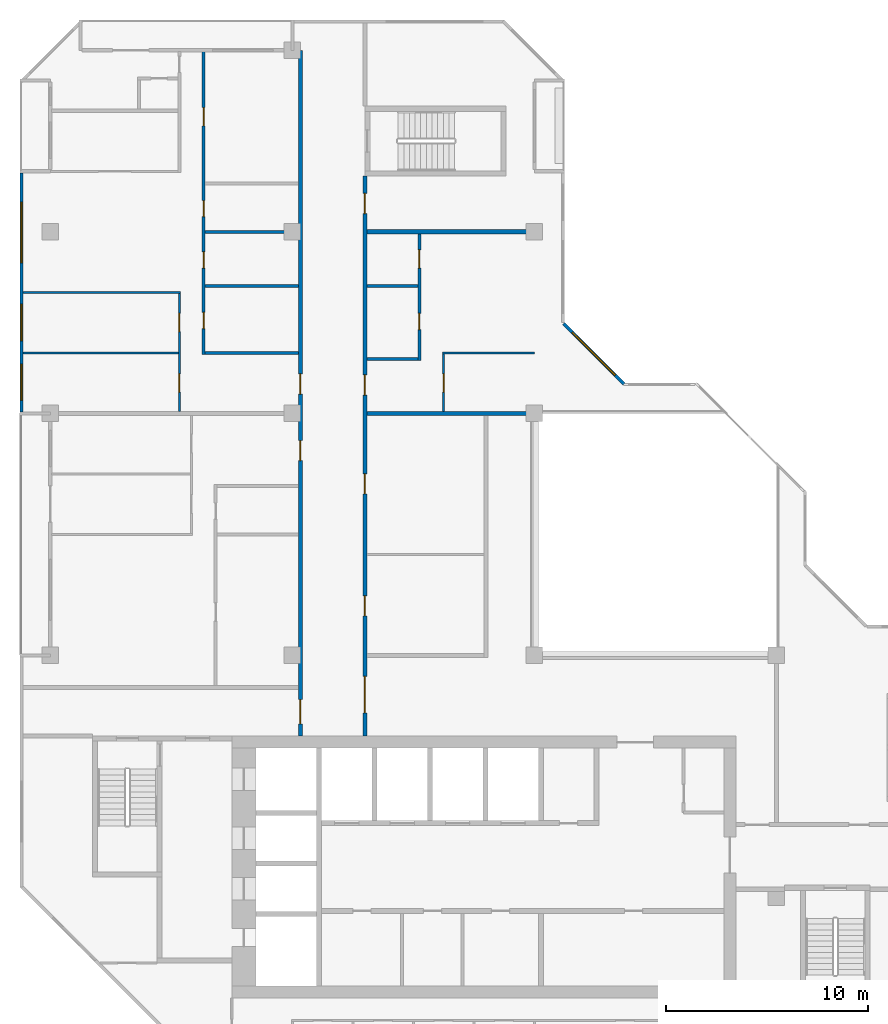
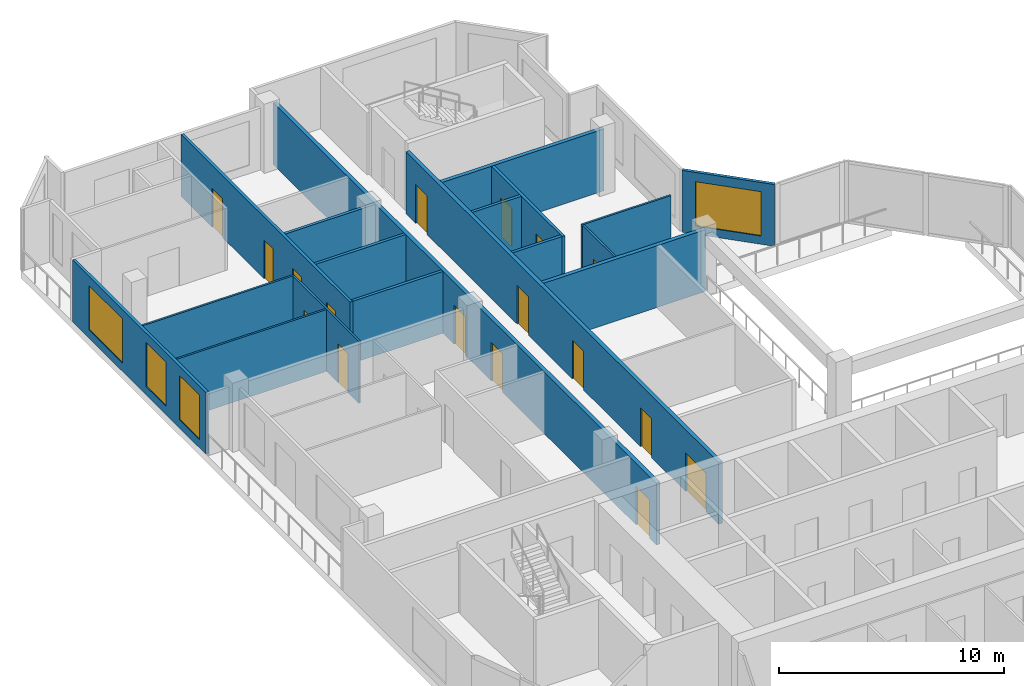
# One storey, part 9 of 13: 18 walls, 17 doors, 4 windows, 21 openings.
"""IFC4 building model written with IfcOpenShell, lengths in metres."""

from ifc_helpers import new_model, si_unit, direction, frame, frame_2d, origin, place, context, subcontext, project, spatial, rectangle, extrude, material, layer, layer_set, type_object, element, fill, save


model = new_model("IFC4")

# Units and contexts
model_context = context("Model", 3, precision=1e-05, world=origin(), true_north=direction((0.0, 1.0)))
body_context = subcontext(model_context, "Body", "Model", "MODEL_VIEW")
ifc_project = project(units=[si_unit("LENGTHUNIT", "METRE"), si_unit("AREAUNIT", "SQUARE_METRE"), si_unit("VOLUMEUNIT", "CUBIC_METRE"), si_unit("PLANEANGLEUNIT", "RADIAN"), si_unit("MASSUNIT", "GRAM", prefix="KILO")], contexts=[model_context])

# Site, building, storey
site_placement = place(None, origin())
site = spatial("IfcSite", under=ifc_project, at=site_placement, CompositionType="ELEMENT")
building_placement = place(site_placement, origin())
building = spatial("IfcBuilding", under=site, at=building_placement, Name="Chenar Terraces", CompositionType="ELEMENT")
storey_placement = place(building_placement, frame((0.0, 0.0, 277.14990234375)))
storey = spatial("IfcBuildingStorey", under=building, at=storey_placement, Name="L64", CompositionType="ELEMENT", Elevation=277.14990234375)

# Wall, openings, doors
ifc_material_1 = material(Name="Gypsum board on steel studs with fire boards", Category="steel")
ifc_layer_1 = layer(ifc_material_1, 0.199951171875)
ifc_layer_set_1 = layer_set([ifc_layer_1], Name="Gypsum board on steel studs with fire boards")
wall_type_1 = type_object("IfcWallType", Name="Corridor wall 200", PredefinedType="PARTITIONING", material=ifc_layer_set_1)
wall_1_placement = place(storey_placement, frame((12.39990234375, 20.0, 0.0), z_axis=(0.0, 0.0, 1.0), x_axis=(0.0, 1.0, 0.0)))
wall_1 = element("IfcWall", 1, at=wall_1_placement, inside=storey, type_object=wall_type_1, Name="Partition L64-028", PredefinedType="PARTITIONING", context=body_context, shape_type="SweptSolid", body=[
    extrude(rectangle(XDim=34.0, YDim=0.199951171875, at=frame_2d((17.0, 0.0))), origin(), (0.0, 0.0, 1.0), 3.35009765625),
])
opening_1_placement = place(wall_1_placement, frame((16.949951171875, 0.0, 0.0)))
opening_1 = element("IfcOpeningElement", 2, at=opening_1_placement, cuts=wall_1, Name="Opening DL64-23", PredefinedType="OPENING", context=body_context, shape_type="SweptSolid", body=[
    extrude(rectangle(XDim=1.0, YDim=2.10009765625, at=frame_2d((0.5, 1.050048828125))), frame((0.0, 0.10986328125, 0.0), z_axis=(0.0, -1.0, 0.0), x_axis=(1.0, 0.0, 0.0)), (0.0, 0.0, 1.0), 0.219970703125),
])
opening_2_placement = place(wall_1_placement, frame((0.60009765625, 0.0, 0.0)))
opening_2 = element("IfcOpeningElement", 3, at=opening_2_placement, cuts=wall_1, Name="Opening DL64-31", PredefinedType="OPENING", context=body_context, shape_type="SweptSolid", body=[
    extrude(rectangle(XDim=1.199951171875, YDim=2.10009765625, at=frame_2d((0.60009765625, 1.050048828125))), frame((0.0, 0.10986328125, 0.0), z_axis=(0.0, -1.0, 0.0), x_axis=(1.0, 0.0, 0.0)), (0.0, 0.0, 1.0), 0.219970703125),
])
opening_3_placement = place(wall_1_placement, frame((13.64990234375, 0.0, 0.0)))
opening_3 = element("IfcOpeningElement", 4, at=opening_3_placement, cuts=wall_1, Name="Opening DL64-51", PredefinedType="OPENING", context=body_context, shape_type="SweptSolid", body=[
    extrude(rectangle(XDim=1.0, YDim=2.10009765625, at=frame_2d((0.5, 1.050048828125))), frame((0.0, 0.10986328125, 0.0), z_axis=(0.0, -1.0, 0.0), x_axis=(1.0, 0.0, 0.0)), (0.0, 0.0, 1.0), 0.219970703125),
])
ifc_material_2 = material(Name="Steel-framed fire-resisting door leaf", Category="steel")
door_type_1 = type_object("IfcDoorType", Name="Fire door FD30S 1000 x 2100", OperationType="SINGLE_SWING_LEFT", PredefinedType="DOOR", material=ifc_material_2)
door_1_placement = place(opening_1_placement, origin())
door_1 = element("IfcDoor", 5, at=door_1_placement, inside=storey, type_object=door_type_1, Name="Door DL64-23", OperationType="SINGLE_SWING_LEFT", OverallHeight=2.10009765625, OverallWidth=1.0, PredefinedType="DOOR", context=body_context, shape_type="SweptSolid", body=[
    extrude(rectangle(XDim=1.0, YDim=2.10009765625, at=frame_2d((0.5, 1.050048828125))), frame((0.0, 0.02490234375, 0.0), z_axis=(0.0, -1.0, 0.0), x_axis=(1.0, 0.0, 0.0)), (0.0, 0.0, 1.0), 0.050048828125),
])
fill(opening_1, door_1)
door_2_placement = place(opening_3_placement, origin())
door_2 = element("IfcDoor", 6, at=door_2_placement, inside=storey, type_object=door_type_1, Name="Door DL64-51", OperationType="SINGLE_SWING_RIGHT", OverallHeight=2.10009765625, OverallWidth=1.0, PredefinedType="DOOR", context=body_context, shape_type="SweptSolid", body=[
    extrude(rectangle(XDim=1.0, YDim=2.10009765625, at=frame_2d((0.5, 1.050048828125))), frame((0.0, 0.02490234375, 0.0), z_axis=(0.0, -1.0, 0.0), x_axis=(1.0, 0.0, 0.0)), (0.0, 0.0, 1.0), 0.050048828125),
])
fill(opening_3, door_2)
ifc_material_3 = material(Name="Steel-framed fire-resisting door leaf", Category="steel")
door_type_2 = type_object("IfcDoorType", Name="Fire door FD30S 1200 x 2100", OperationType="SINGLE_SWING_LEFT", PredefinedType="DOOR", material=ifc_material_3)
door_3_placement = place(opening_2_placement, origin())
door_3 = element("IfcDoor", 7, at=door_3_placement, inside=storey, type_object=door_type_2, Name="Door DL64-31", OperationType="SINGLE_SWING_RIGHT", OverallHeight=2.10009765625, OverallWidth=1.199951171875, PredefinedType="DOOR", context=body_context, shape_type="SweptSolid", body=[
    extrude(rectangle(XDim=1.199951171875, YDim=2.10009765625, at=frame_2d((0.60009765625, 1.050048828125))), frame((0.0, 0.02490234375, 0.0), z_axis=(0.0, -1.0, 0.0), x_axis=(1.0, 0.0, 0.0)), (0.0, 0.0, 1.0), 0.050048828125),
])
fill(opening_2, door_3)

wall_2_placement = place(storey_placement, frame((15.60009765625, 20.0, 0.0), z_axis=(0.0, 0.0, 1.0), x_axis=(0.0, 1.0, 0.0)))
wall_2 = element("IfcWall", 8, at=wall_2_placement, inside=storey, type_object=wall_type_1, Name="Partition L64-030", PredefinedType="PARTITIONING", context=body_context, shape_type="SweptSolid", body=[
    extrude(rectangle(XDim=27.77490234375, YDim=0.199951171875, at=frame_2d((13.887451171875, 0.0))), origin(), (0.0, 0.0, 1.0), 3.35009765625),
])
opening_4_placement = place(wall_2_placement, frame((5.949951171875, 0.0, 0.0)))
opening_4 = element("IfcOpeningElement", 9, at=opening_4_placement, cuts=wall_2, Name="Opening DL64-1", PredefinedType="OPENING", context=body_context, shape_type="SweptSolid", body=[
    extrude(rectangle(XDim=1.0, YDim=2.10009765625, at=frame_2d((0.5, 1.050048828125))), frame((0.0, 0.10986328125, 0.0), z_axis=(0.0, -1.0, 0.0), x_axis=(1.0, 0.0, 0.0)), (0.0, 0.0, 1.0), 0.219970703125),
])
opening_5_placement = place(wall_2_placement, frame((12.0, 0.0, 0.0)))
opening_5 = element("IfcOpeningElement", 10, at=opening_5_placement, cuts=wall_2, Name="Opening DL64-2", PredefinedType="OPENING", context=body_context, shape_type="SweptSolid", body=[
    extrude(rectangle(XDim=1.0, YDim=2.10009765625, at=frame_2d((0.5, 1.050048828125))), frame((0.0, 0.10986328125, 0.0), z_axis=(0.0, -1.0, 0.0), x_axis=(1.0, 0.0, 0.0)), (0.0, 0.0, 1.0), 0.219970703125),
])
opening_6_placement = place(wall_2_placement, frame((16.89990234375, 0.0, 0.0)))
opening_6 = element("IfcOpeningElement", 11, at=opening_6_placement, cuts=wall_2, Name="Opening DL64-18", PredefinedType="OPENING", context=body_context, shape_type="SweptSolid", body=[
    extrude(rectangle(XDim=1.0, YDim=2.10009765625, at=frame_2d((0.5, 1.050048828125))), frame((0.0, 0.10986328125, 0.0), z_axis=(0.0, -1.0, 0.0), x_axis=(1.0, 0.0, 0.0)), (0.0, 0.0, 1.0), 0.219970703125),
])
opening_7_placement = place(wall_2_placement, frame((1.14990234375, 0.0, 0.0)))
opening_7 = element("IfcOpeningElement", 12, at=opening_7_placement, cuts=wall_2, Name="Opening DL64-30", PredefinedType="OPENING", context=body_context, shape_type="SweptSolid", body=[
    extrude(rectangle(XDim=1.800048828125, YDim=2.10009765625, at=frame_2d((0.89990234375, 1.050048828125))), frame((0.0, 0.10986328125, 0.0), z_axis=(0.0, -1.0, 0.0), x_axis=(1.0, 0.0, 0.0)), (0.0, 0.0, 1.0), 0.219970703125),
])
opening_8_placement = place(wall_2_placement, frame((25.89990234375, 0.0, 0.0)))
opening_8 = element("IfcOpeningElement", 13, at=opening_8_placement, cuts=wall_2, Name="Opening DL64-33", PredefinedType="OPENING", context=body_context, shape_type="SweptSolid", body=[
    extrude(rectangle(XDim=1.0, YDim=2.10009765625, at=frame_2d((0.5, 1.050048828125))), frame((0.0, 0.10986328125, 0.0), z_axis=(0.0, -1.0, 0.0), x_axis=(1.0, 0.0, 0.0)), (0.0, 0.0, 1.0), 0.219970703125),
])
ifc_material_4 = material(Name="Steel-framed fire-resisting door leaf", Category="steel")
door_type_3 = type_object("IfcDoorType", Name="Fire door FD60 1000 x 2100", OperationType="SINGLE_SWING_LEFT", PredefinedType="DOOR", material=ifc_material_4)
door_4_placement = place(opening_4_placement, frame((1.0, 0.0, 0.0), z_axis=(0.0, 0.0, 1.0), x_axis=(-1.0, 0.0, 0.0)))
door_4 = element("IfcDoor", 14, at=door_4_placement, inside=storey, type_object=door_type_3, Name="Door DL64-1", OperationType="SINGLE_SWING_LEFT", OverallHeight=2.10009765625, OverallWidth=1.0, PredefinedType="DOOR", context=body_context, shape_type="SweptSolid", body=[
    extrude(rectangle(XDim=1.0, YDim=2.10009765625, at=frame_2d((0.5, 1.050048828125))), frame((0.0, 0.02490234375, 0.0), z_axis=(0.0, -1.0, 0.0), x_axis=(1.0, 0.0, 0.0)), (0.0, 0.0, 1.0), 0.050048828125),
])
fill(opening_4, door_4)
door_5_placement = place(opening_5_placement, frame((1.0, 0.0, 0.0), z_axis=(0.0, 0.0, 1.0), x_axis=(-1.0, 0.0, 0.0)))
door_5 = element("IfcDoor", 15, at=door_5_placement, inside=storey, type_object=door_type_3, Name="Door DL64-2", OperationType="SINGLE_SWING_LEFT", OverallHeight=2.10009765625, OverallWidth=1.0, PredefinedType="DOOR", context=body_context, shape_type="SweptSolid", body=[
    extrude(rectangle(XDim=1.0, YDim=2.10009765625, at=frame_2d((0.5, 1.050048828125))), frame((0.0, 0.02490234375, 0.0), z_axis=(0.0, -1.0, 0.0), x_axis=(1.0, 0.0, 0.0)), (0.0, 0.0, 1.0), 0.050048828125),
])
fill(opening_5, door_5)
door_6_placement = place(opening_6_placement, frame((1.0, 0.0, 0.0), z_axis=(0.0, 0.0, 1.0), x_axis=(-1.0, 0.0, 0.0)))
door_6 = element("IfcDoor", 16, at=door_6_placement, inside=storey, type_object=door_type_3, Name="Door DL64-18", OperationType="SINGLE_SWING_LEFT", OverallHeight=2.10009765625, OverallWidth=1.0, PredefinedType="DOOR", context=body_context, shape_type="SweptSolid", body=[
    extrude(rectangle(XDim=1.0, YDim=2.10009765625, at=frame_2d((0.5, 1.050048828125))), frame((0.0, 0.02490234375, 0.0), z_axis=(0.0, -1.0, 0.0), x_axis=(1.0, 0.0, 0.0)), (0.0, 0.0, 1.0), 0.050048828125),
])
fill(opening_6, door_6)
door_7_placement = place(opening_8_placement, frame((1.0, 0.0, 0.0), z_axis=(0.0, 0.0, 1.0), x_axis=(-1.0, 0.0, 0.0)))
door_7 = element("IfcDoor", 17, at=door_7_placement, inside=storey, type_object=door_type_3, Name="Door DL64-33", OperationType="SINGLE_SWING_RIGHT", OverallHeight=2.10009765625, OverallWidth=1.0, PredefinedType="DOOR", context=body_context, shape_type="SweptSolid", body=[
    extrude(rectangle(XDim=1.0, YDim=2.10009765625, at=frame_2d((0.5, 1.050048828125))), frame((0.0, 0.02490234375, 0.0), z_axis=(0.0, -1.0, 0.0), x_axis=(1.0, 0.0, 0.0)), (0.0, 0.0, 1.0), 0.050048828125),
])
fill(opening_8, door_7)
ifc_material_5 = material(Name="Steel-framed fire-resisting door leaf", Category="steel")
door_type_4 = type_object("IfcDoorType", Name="Fire double door FD60 1800 x 2100", OperationType="DOUBLE_DOOR_SINGLE_SWING", PredefinedType="DOOR", material=ifc_material_5)
door_8_placement = place(opening_7_placement, frame((1.800048828125, 0.0, 0.0), z_axis=(0.0, 0.0, 1.0), x_axis=(-1.0, 0.0, 0.0)))
door_8 = element("IfcDoor", 18, at=door_8_placement, inside=storey, type_object=door_type_4, Name="Door DL64-30", OperationType="DOUBLE_DOOR_SINGLE_SWING", OverallHeight=2.10009765625, OverallWidth=1.800048828125, PredefinedType="DOOR", context=body_context, shape_type="SweptSolid", body=[
    extrude(rectangle(XDim=1.800048828125, YDim=2.10009765625, at=frame_2d((0.89990234375, 1.050048828125))), frame((0.0, 0.02490234375, 0.0), z_axis=(0.0, -1.0, 0.0), x_axis=(1.0, 0.0, 0.0)), (0.0, 0.0, 1.0), 0.050048828125),
])
fill(opening_7, door_8)

# Wall, openings, windows
ifc_material_6 = material(Name="Aluminium framed glazing", Category="aluminium")
ifc_layer_2 = layer(ifc_material_6, 0.14990234375)
ifc_layer_set_2 = layer_set([ifc_layer_2], Name="Aluminium framed glazing")
wall_type_2 = type_object("IfcWallType", Name="Glazed flush facade wall 150", PredefinedType="SOLIDWALL", material=ifc_layer_set_2)
wall_3_placement = place(storey_placement, frame((-1.425048828125, 47.925048828125, 0.0), z_axis=(0.0, 0.0, 1.0), x_axis=(0.0, -1.0, 0.0)))
wall_3 = element("IfcWall", 19, at=wall_3_placement, inside=storey, type_object=wall_type_2, Name="Glazed flush facade wall", PredefinedType="SOLIDWALL", context=body_context, shape_type="SweptSolid", body=[
    extrude(rectangle(XDim=11.85009765625, YDim=0.14990234375, at=frame_2d((5.925048828125, 0.0))), origin(), (0.0, 0.0, 1.0), 3.35009765625),
])
opening_9_placement = place(wall_3_placement, frame((1.46240234375, 0.0, 0.449951171875)))
opening_9 = element("IfcOpeningElement", 20, at=opening_9_placement, cuts=wall_3, Name="Opening W300x240", PredefinedType="OPENING", context=body_context, shape_type="SweptSolid", body=[
    extrude(rectangle(XDim=3.0, YDim=2.39990234375, at=frame_2d((1.5, 1.199951171875))), frame((0.0, 0.0849609375, 0.0), z_axis=(0.0, -1.0, 0.0), x_axis=(1.0, 0.0, 0.0)), (0.0, 0.0, 1.0), 0.169921875),
])
opening_10_placement = place(wall_3_placement, frame((6.52490234375, 0.0, 0.449951171875)))
opening_10 = element("IfcOpeningElement", 21, at=opening_10_placement, cuts=wall_3, Name="Opening W180x240", PredefinedType="OPENING", context=body_context, shape_type="SweptSolid", body=[
    extrude(rectangle(XDim=1.800048828125, YDim=2.39990234375, at=frame_2d((0.89990234375, 1.199951171875))), frame((0.0, 0.0849609375, 0.0), z_axis=(0.0, -1.0, 0.0), x_axis=(1.0, 0.0, 0.0)), (0.0, 0.0, 1.0), 0.169921875),
])
opening_11_placement = place(wall_3_placement, frame((9.487548828125, 0.0, 0.449951171875)))
opening_11 = element("IfcOpeningElement", 22, at=opening_11_placement, cuts=wall_3, Name="Opening W180x240", PredefinedType="OPENING", context=body_context, shape_type="SweptSolid", body=[
    extrude(rectangle(XDim=1.800048828125, YDim=2.39990234375, at=frame_2d((0.89990234375, 1.199951171875))), frame((0.0, 0.0849609375, 0.0), z_axis=(0.0, -1.0, 0.0), x_axis=(1.0, 0.0, 0.0)), (0.0, 0.0, 1.0), 0.169921875),
])
ifc_material_7 = material(Name="Low emissivity double glazing, aluminium frame", Category="aluminium")
window_type_1 = type_object("IfcWindowType", Name="Fixed light 1800 x 2400", PartitioningType="SINGLE_PANEL", PredefinedType="WINDOW", material=ifc_material_7)
window_1_placement = place(opening_10_placement, origin())
window_1 = element("IfcWindow", 23, at=window_1_placement, inside=storey, type_object=window_type_1, Name="Window", OverallHeight=2.39990234375, OverallWidth=1.800048828125, PartitioningType="SINGLE_PANEL", PredefinedType="WINDOW", context=body_context, shape_type="SweptSolid", body=[
    extrude(rectangle(XDim=1.800048828125, YDim=2.39990234375, at=frame_2d((0.89990234375, 1.199951171875))), frame((0.0, 0.030029296875, 0.0), z_axis=(0.0, -1.0, 0.0), x_axis=(1.0, 0.0, 0.0)), (0.0, 0.0, 1.0), 0.06005859375),
])
fill(opening_10, window_1)
window_2_placement = place(opening_11_placement, origin())
window_2 = element("IfcWindow", 24, at=window_2_placement, inside=storey, type_object=window_type_1, Name="Window", OverallHeight=2.39990234375, OverallWidth=1.800048828125, PartitioningType="SINGLE_PANEL", PredefinedType="WINDOW", context=body_context, shape_type="SweptSolid", body=[
    extrude(rectangle(XDim=1.800048828125, YDim=2.39990234375, at=frame_2d((0.89990234375, 1.199951171875))), frame((0.0, 0.030029296875, 0.0), z_axis=(0.0, -1.0, 0.0), x_axis=(1.0, 0.0, 0.0)), (0.0, 0.0, 1.0), 0.06005859375),
])
fill(opening_11, window_2)
ifc_material_8 = material(Name="Low emissivity double glazing, aluminium frame", Category="aluminium")
window_type_2 = type_object("IfcWindowType", Name="Fixed light 3000 x 2400", PartitioningType="SINGLE_PANEL", PredefinedType="WINDOW", material=ifc_material_8)
window_3_placement = place(opening_9_placement, origin())
window_3 = element("IfcWindow", 25, at=window_3_placement, inside=storey, type_object=window_type_2, Name="Window", OverallHeight=2.39990234375, OverallWidth=3.0, PartitioningType="SINGLE_PANEL", PredefinedType="WINDOW", context=body_context, shape_type="SweptSolid", body=[
    extrude(rectangle(XDim=3.0, YDim=2.39990234375, at=frame_2d((1.5, 1.199951171875))), frame((0.0, 0.030029296875, 0.0), z_axis=(0.0, -1.0, 0.0), x_axis=(1.0, 0.0, 0.0)), (0.0, 0.0, 1.0), 0.06005859375),
])
fill(opening_9, window_3)

# Walls
ifc_material_9 = material(Name="Gypsum board on steel studs", Category="steel")
ifc_layer_3 = layer(ifc_material_9, 0.10009765625)
ifc_layer_set_3 = layer_set([ifc_layer_3], Name="Gypsum board on steel studs")
wall_type_3 = type_object("IfcWallType", Name="Gypsum partition 100", PredefinedType="PARTITIONING", material=ifc_layer_set_3)
wall_4_placement = place(storey_placement, frame((-1.35107421875, 39.0, 0.0), z_axis=(0.0, 0.0, 1.0), x_axis=(1.0, 0.0, 0.0)))
element("IfcWall", 26, at=wall_4_placement, inside=storey, type_object=wall_type_3, Name="Partition L64-001", PredefinedType="PARTITIONING", context=body_context, shape_type="SweptSolid", body=[
    extrude(rectangle(XDim=7.701171875, YDim=0.10009765625, at=frame_2d((3.8505859375, 0.0))), origin(), (0.0, 0.0, 1.0), 3.35009765625),
])
wall_5_placement = place(storey_placement, frame((-1.35009765625, 42.0, 0.0), z_axis=(0.0, 0.0, 1.0), x_axis=(1.0, 0.0, 0.0)))
element("IfcWall", 27, at=wall_5_placement, inside=storey, type_object=wall_type_3, Name="Partition L64-005", PredefinedType="PARTITIONING", context=body_context, shape_type="SweptSolid", body=[
    extrude(rectangle(XDim=7.800048828125, YDim=0.10009765625, at=frame_2d((3.89990234375, 0.0))), origin(), (0.0, 0.0, 1.0), 3.35009765625),
])

# Wall, openings, doors
wall_6_placement = place(storey_placement, frame((6.39990234375, 36.10009765625, 0.0), z_axis=(0.0, 0.0, 1.0), x_axis=(0.0, 1.0, 0.0)))
wall_6 = element("IfcWall", 28, at=wall_6_placement, inside=storey, type_object=wall_type_3, Name="Partition L64-013", PredefinedType="PARTITIONING", context=body_context, shape_type="SweptSolid", body=[
    extrude(rectangle(XDim=5.849853515625, YDim=0.10009765625, at=frame_2d((2.9248046875, 0.0))), origin(), (0.0, 0.0, 1.0), 3.35009765625),
])
opening_12_placement = place(wall_6_placement, frame((0.949951171875, 0.0, 0.0)))
opening_12 = element("IfcOpeningElement", 29, at=opening_12_placement, cuts=wall_6, Name="Opening DL64-20", PredefinedType="OPENING", context=body_context, shape_type="SweptSolid", body=[
    extrude(rectangle(XDim=0.89990234375, YDim=2.10009765625, at=frame_2d((0.449951171875, 1.050048828125))), frame((0.0, 0.06005859375, 0.0), z_axis=(0.0, -1.0, 0.0), x_axis=(1.0, 0.0, 0.0)), (0.0, 0.0, 1.0), 0.1201171875),
])
opening_13_placement = place(wall_6_placement, frame((3.949951171875, 0.0, 0.0)))
opening_13 = element("IfcOpeningElement", 30, at=opening_13_placement, cuts=wall_6, Name="Opening DL64-21", PredefinedType="OPENING", context=body_context, shape_type="SweptSolid", body=[
    extrude(rectangle(XDim=0.89990234375, YDim=2.10009765625, at=frame_2d((0.449951171875, 1.050048828125))), frame((0.0, 0.06005859375, 0.0), z_axis=(0.0, -1.0, 0.0), x_axis=(1.0, 0.0, 0.0)), (0.0, 0.0, 1.0), 0.1201171875),
])
ifc_material_10 = material(Name="Veneered timber door leaf", Category="wood")
door_type_5 = type_object("IfcDoorType", Name="Door 900 x 2100", OperationType="SINGLE_SWING_LEFT", PredefinedType="DOOR", material=ifc_material_10)
door_9_placement = place(opening_12_placement, origin())
door_9 = element("IfcDoor", 31, at=door_9_placement, inside=storey, type_object=door_type_5, Name="Door DL64-20", OperationType="SINGLE_SWING_RIGHT", OverallHeight=2.10009765625, OverallWidth=0.89990234375, PredefinedType="DOOR", context=body_context, shape_type="SweptSolid", body=[
    extrude(rectangle(XDim=0.89990234375, YDim=2.10009765625, at=frame_2d((0.449951171875, 1.050048828125))), frame((0.0, 0.02490234375, 0.0), z_axis=(0.0, -1.0, 0.0), x_axis=(1.0, 0.0, 0.0)), (0.0, 0.0, 1.0), 0.050048828125),
])
fill(opening_12, door_9)
door_10_placement = place(opening_13_placement, origin())
door_10 = element("IfcDoor", 32, at=door_10_placement, inside=storey, type_object=door_type_5, Name="Door DL64-21", OperationType="SINGLE_SWING_RIGHT", OverallHeight=2.10009765625, OverallWidth=0.89990234375, PredefinedType="DOOR", context=body_context, shape_type="SweptSolid", body=[
    extrude(rectangle(XDim=0.89990234375, YDim=2.10009765625, at=frame_2d((0.449951171875, 1.050048828125))), frame((0.0, 0.02490234375, 0.0), z_axis=(0.0, -1.0, 0.0), x_axis=(1.0, 0.0, 0.0)), (0.0, 0.0, 1.0), 0.050048828125),
])
fill(opening_13, door_10)

# Wall
wall_7_placement = place(storey_placement, frame((19.449951171875, 39.0, 0.0), z_axis=(0.0, 0.0, 1.0), x_axis=(1.0, 0.0, 0.0)))
element("IfcWall", 33, at=wall_7_placement, inside=storey, type_object=wall_type_3, Name="Partition L64-040", PredefinedType="PARTITIONING", context=body_context, shape_type="SweptSolid", body=[
    extrude(rectangle(XDim=4.550048828125, YDim=0.10009765625, at=frame_2d((2.27490234375, 0.0))), origin(), (0.0, 0.0, 1.0), 3.35009765625),
])

# Wall, opening, door
wall_8_placement = place(storey_placement, frame((19.5, 36.10009765625, 0.0), z_axis=(0.0, 0.0, 1.0), x_axis=(0.0, 1.0, 0.0)))
wall_8 = element("IfcWall", 34, at=wall_8_placement, inside=storey, type_object=wall_type_3, Name="Partition L64-041", PredefinedType="PARTITIONING", context=body_context, shape_type="SweptSolid", body=[
    extrude(rectangle(XDim=2.849853515625, YDim=0.10009765625, at=frame_2d((1.4248046875, 0.0))), origin(), (0.0, 0.0, 1.0), 3.35009765625),
])
opening_14_placement = place(wall_8_placement, frame((0.949951171875, 0.0, 0.0)))
opening_14 = element("IfcOpeningElement", 35, at=opening_14_placement, cuts=wall_8, Name="Opening DL64-16", PredefinedType="OPENING", context=body_context, shape_type="SweptSolid", body=[
    extrude(rectangle(XDim=0.89990234375, YDim=2.10009765625, at=frame_2d((0.449951171875, 1.050048828125))), frame((0.0, 0.06005859375, 0.0), z_axis=(0.0, -1.0, 0.0), x_axis=(1.0, 0.0, 0.0)), (0.0, 0.0, 1.0), 0.1201171875),
])
door_11_placement = place(opening_14_placement, frame((0.89990234375, 0.0, 0.0), z_axis=(0.0, 0.0, 1.0), x_axis=(-1.0, 0.0, 0.0)))
door_11 = element("IfcDoor", 36, at=door_11_placement, inside=storey, type_object=door_type_5, Name="Door DL64-16", OperationType="SINGLE_SWING_LEFT", OverallHeight=2.10009765625, OverallWidth=0.89990234375, PredefinedType="DOOR", context=body_context, shape_type="SweptSolid", body=[
    extrude(rectangle(XDim=0.89990234375, YDim=2.10009765625, at=frame_2d((0.449951171875, 1.050048828125))), frame((0.0, 0.02490234375, 0.0), z_axis=(0.0, -1.0, 0.0), x_axis=(1.0, 0.0, 0.0)), (0.0, 0.0, 1.0), 0.050048828125),
])
fill(opening_14, door_11)

# Wall, opening, window
ifc_material_11 = material(Name="Terracotta cladding on insulated backing", Category="masonry")
ifc_layer_4 = layer(ifc_material_11, 0.14990234375)
ifc_layer_set_4 = layer_set([ifc_layer_4], Name="Terracotta cladding on insulated backing")
wall_type_4 = type_object("IfcWallType", Name="Terracotta rainscreen wall 150", PredefinedType="SOLIDWALL", material=ifc_layer_set_4)
wall_9_placement = place(storey_placement, frame((28.447021484375, 37.447021484375, 0.0), z_axis=(0.0, 0.0, 1.0), x_axis=(-0.707106781187, 0.707106781187, 0.0)))
wall_9 = element("IfcWall", 37, at=wall_9_placement, inside=storey, type_object=wall_type_4, Name="Terracotta rainscreen wall", PredefinedType="SOLIDWALL", context=body_context, shape_type="SweptSolid", body=[
    extrude(rectangle(XDim=4.24267578125, YDim=0.14990234375, at=frame_2d((2.121337890625, 0.0))), origin(), (0.0, 0.0, 1.0), 3.35009765625),
])
opening_15_placement = place(wall_9_placement, frame((0.621337890625, 0.0, 0.449951171875)))
opening_15 = element("IfcOpeningElement", 38, at=opening_15_placement, cuts=wall_9, Name="Opening W300x240", PredefinedType="OPENING", context=body_context, shape_type="SweptSolid", body=[
    extrude(rectangle(XDim=3.0, YDim=2.39990234375, at=frame_2d((1.5, 1.199951171875))), frame((0.0, 0.0849609375, 0.0), z_axis=(0.0, -1.0, 0.0), x_axis=(1.0, 0.0, 0.0)), (0.0, 0.0, 1.0), 0.169921875),
])
window_4_placement = place(opening_15_placement, origin())
window_4 = element("IfcWindow", 39, at=window_4_placement, inside=storey, type_object=window_type_2, Name="Window", OverallHeight=2.39990234375, OverallWidth=3.0, PartitioningType="SINGLE_PANEL", PredefinedType="WINDOW", context=body_context, shape_type="SweptSolid", body=[
    extrude(rectangle(XDim=3.0, YDim=2.39990234375, at=frame_2d((1.5, 1.199951171875))), frame((0.0, 0.030029296875, 0.0), z_axis=(0.0, -1.0, 0.0), x_axis=(1.0, 0.0, 0.0)), (0.0, 0.0, 1.0), 0.06005859375),
])
fill(opening_15, window_4)

# Walls
ifc_material_12 = material(Name="Twin gypsum board on steel studs with mineral wool", Category="steel")
ifc_layer_5 = layer(ifc_material_12, 0.199951171875)
ifc_layer_set_5 = layer_set([ifc_layer_5], Name="Twin gypsum board on steel studs with mineral wool")
wall_type_5 = type_object("IfcWallType", Name="Unit demising wall 200", PredefinedType="PARTITIONING", material=ifc_layer_set_5)
for number, where, z_axis, x_axis, name in (
    (40, (15.699951171875, 36.0, 0.0), (0.0, 0.0, 1.0), (1.0, 0.0, 0.0), "Partition L64-034"),
    (41, (15.699951171875, 45.0, 0.0), (0.0, 0.0, 1.0), (1.0, 0.0, 0.0), "Partition L64-037"),
):
    element("IfcWall", number, at=place(storey_placement, frame(where, z_axis=z_axis, x_axis=x_axis)), inside=storey, type_object=wall_type_5, Name=name, PredefinedType="PARTITIONING", context=body_context, shape_type="SweptSolid", body=[
        extrude(rectangle(XDim=8.300048828125, YDim=0.199951171875, at=frame_2d((4.14990234375, 0.0))), origin(), (0.0, 0.0, 1.0), 3.35009765625),
    ])

# Wall, openings, doors
ifc_material_13 = material(Name="Moisture-resistant gypsum board on steel studs", Category="steel")
ifc_layer_6 = layer(ifc_material_13, 0.14990234375)
ifc_layer_set_6 = layer_set([ifc_layer_6], Name="Moisture-resistant gypsum board on steel studs")
wall_type_6 = type_object("IfcWallType", Name="Wet-room partition 150", PredefinedType="PARTITIONING", material=ifc_layer_set_6)
wall_10_placement = place(storey_placement, frame((7.60009765625, 38.925048828125, 0.0), z_axis=(0.0, 0.0, 1.0), x_axis=(0.0, 1.0, 0.0)))
wall_10 = element("IfcWall", 42, at=wall_10_placement, inside=storey, type_object=wall_type_6, Name="Partition L64-016", PredefinedType="PARTITIONING", context=body_context, shape_type="SweptSolid", body=[
    extrude(rectangle(XDim=15.0009765625, YDim=0.14990234375, at=frame_2d((7.50048828125, 0.0))), origin(), (0.0, 0.0, 1.0), 3.35009765625),
])
opening_16_placement = place(wall_10_placement, frame((6.824951171875, 0.0, 0.0)))
opening_16 = element("IfcOpeningElement", 43, at=opening_16_placement, cuts=wall_10, Name="Opening DL64-19", PredefinedType="OPENING", context=body_context, shape_type="SweptSolid", body=[
    extrude(rectangle(XDim=0.800048828125, YDim=2.10009765625, at=frame_2d((0.39990234375, 1.050048828125))), frame((0.0, 0.0849609375, 0.0), z_axis=(0.0, -1.0, 0.0), x_axis=(1.0, 0.0, 0.0)), (0.0, 0.0, 1.0), 0.169921875),
])
opening_17_placement = place(wall_10_placement, frame((11.324951171875, 0.0, 0.0)))
opening_17 = element("IfcOpeningElement", 44, at=opening_17_placement, cuts=wall_10, Name="Opening DL64-22", PredefinedType="OPENING", context=body_context, shape_type="SweptSolid", body=[
    extrude(rectangle(XDim=0.89990234375, YDim=2.10009765625, at=frame_2d((0.449951171875, 1.050048828125))), frame((0.0, 0.0849609375, 0.0), z_axis=(0.0, -1.0, 0.0), x_axis=(1.0, 0.0, 0.0)), (0.0, 0.0, 1.0), 0.169921875),
])
opening_18_placement = place(wall_10_placement, frame((1.27490234375, 0.0, 0.0)))
opening_18 = element("IfcOpeningElement", 45, at=opening_18_placement, cuts=wall_10, Name="Opening DL64-27", PredefinedType="OPENING", context=body_context, shape_type="SweptSolid", body=[
    extrude(rectangle(XDim=0.800048828125, YDim=2.10009765625, at=frame_2d((0.39990234375, 1.050048828125))), frame((0.0, 0.0849609375, 0.0), z_axis=(0.0, -1.0, 0.0), x_axis=(1.0, 0.0, 0.0)), (0.0, 0.0, 1.0), 0.169921875),
])
opening_19_placement = place(wall_10_placement, frame((4.27490234375, 0.0, 0.0)))
opening_19 = element("IfcOpeningElement", 46, at=opening_19_placement, cuts=wall_10, Name="Opening DL64-28", PredefinedType="OPENING", context=body_context, shape_type="SweptSolid", body=[
    extrude(rectangle(XDim=0.800048828125, YDim=2.10009765625, at=frame_2d((0.39990234375, 1.050048828125))), frame((0.0, 0.0849609375, 0.0), z_axis=(0.0, -1.0, 0.0), x_axis=(1.0, 0.0, 0.0)), (0.0, 0.0, 1.0), 0.169921875),
])
ifc_material_14 = material(Name="Veneered timber door leaf", Category="wood")
door_type_6 = type_object("IfcDoorType", Name="Door 800 x 2100", OperationType="SINGLE_SWING_LEFT", PredefinedType="DOOR", material=ifc_material_14)
door_12_placement = place(opening_16_placement, frame((0.800048828125, 0.0, 0.0), z_axis=(0.0, 0.0, 1.0), x_axis=(-1.0, 0.0, 0.0)))
door_12 = element("IfcDoor", 47, at=door_12_placement, inside=storey, type_object=door_type_6, Name="Door DL64-19", OperationType="SINGLE_SWING_RIGHT", OverallHeight=2.10009765625, OverallWidth=0.800048828125, PredefinedType="DOOR", context=body_context, shape_type="SweptSolid", body=[
    extrude(rectangle(XDim=0.800048828125, YDim=2.10009765625, at=frame_2d((0.39990234375, 1.050048828125))), frame((0.0, 0.02490234375, 0.0), z_axis=(0.0, -1.0, 0.0), x_axis=(1.0, 0.0, 0.0)), (0.0, 0.0, 1.0), 0.050048828125),
])
fill(opening_16, door_12)
door_13_placement = place(opening_18_placement, frame((0.800048828125, 0.0, 0.0), z_axis=(0.0, 0.0, 1.0), x_axis=(-1.0, 0.0, 0.0)))
door_13 = element("IfcDoor", 48, at=door_13_placement, inside=storey, type_object=door_type_6, Name="Door DL64-27", OperationType="SINGLE_SWING_RIGHT", OverallHeight=2.10009765625, OverallWidth=0.800048828125, PredefinedType="DOOR", context=body_context, shape_type="SweptSolid", body=[
    extrude(rectangle(XDim=0.800048828125, YDim=2.10009765625, at=frame_2d((0.39990234375, 1.050048828125))), frame((0.0, 0.02490234375, 0.0), z_axis=(0.0, -1.0, 0.0), x_axis=(1.0, 0.0, 0.0)), (0.0, 0.0, 1.0), 0.050048828125),
])
fill(opening_18, door_13)
door_14_placement = place(opening_19_placement, frame((0.800048828125, 0.0, 0.0), z_axis=(0.0, 0.0, 1.0), x_axis=(-1.0, 0.0, 0.0)))
door_14 = element("IfcDoor", 49, at=door_14_placement, inside=storey, type_object=door_type_6, Name="Door DL64-28", OperationType="SINGLE_SWING_RIGHT", OverallHeight=2.10009765625, OverallWidth=0.800048828125, PredefinedType="DOOR", context=body_context, shape_type="SweptSolid", body=[
    extrude(rectangle(XDim=0.800048828125, YDim=2.10009765625, at=frame_2d((0.39990234375, 1.050048828125))), frame((0.0, 0.02490234375, 0.0), z_axis=(0.0, -1.0, 0.0), x_axis=(1.0, 0.0, 0.0)), (0.0, 0.0, 1.0), 0.050048828125),
])
fill(opening_19, door_14)
door_15_placement = place(opening_17_placement, frame((0.89990234375, 0.0, 0.0), z_axis=(0.0, 0.0, 1.0), x_axis=(-1.0, 0.0, 0.0)))
door_15 = element("IfcDoor", 50, at=door_15_placement, inside=storey, type_object=door_type_5, Name="Door DL64-22", OperationType="SINGLE_SWING_RIGHT", OverallHeight=2.10009765625, OverallWidth=0.89990234375, PredefinedType="DOOR", context=body_context, shape_type="SweptSolid", body=[
    extrude(rectangle(XDim=0.89990234375, YDim=2.10009765625, at=frame_2d((0.449951171875, 1.050048828125))), frame((0.0, 0.02490234375, 0.0), z_axis=(0.0, -1.0, 0.0), x_axis=(1.0, 0.0, 0.0)), (0.0, 0.0, 1.0), 0.050048828125),
])
fill(opening_17, door_15)

# Walls
for number, where, z_axis, x_axis, name in (
    (51, (7.675048828125, 39.0, 0.0), (0.0, 0.0, 1.0), (1.0, 0.0, 0.0), "Partition L64-017"),
    (52, (7.675048828125, 42.300048828125, 0.0), (0.0, 0.0, 1.0), (1.0, 0.0, 0.0), "Partition L64-018"),
    (53, (7.675048828125, 45.0, 0.0), (0.0, 0.0, 1.0), (1.0, 0.0, 0.0), "Partition L64-019"),
):
    element("IfcWall", number, at=place(storey_placement, frame(where, z_axis=z_axis, x_axis=x_axis)), inside=storey, type_object=wall_type_6, Name=name, PredefinedType="PARTITIONING", context=body_context, shape_type="SweptSolid", body=[
        extrude(rectangle(XDim=4.625, YDim=0.14990234375, at=frame_2d((2.3125, 0.0))), origin(), (0.0, 0.0, 1.0), 3.35009765625),
    ])
for number, where, z_axis, x_axis, name in (
    (54, (15.699951171875, 38.699951171875, 0.0), (0.0, 0.0, 1.0), (1.0, 0.0, 0.0), "Partition L64-035"),
    (55, (15.699951171875, 42.300048828125, 0.0), (0.0, 0.0, 1.0), (1.0, 0.0, 0.0), "Partition L64-036"),
):
    element("IfcWall", number, at=place(storey_placement, frame(where, z_axis=z_axis, x_axis=x_axis)), inside=storey, type_object=wall_type_6, Name=name, PredefinedType="PARTITIONING", context=body_context, shape_type="SweptSolid", body=[
        extrude(rectangle(XDim=2.525146484375, YDim=0.14990234375, at=frame_2d((1.2626953125, 0.0))), origin(), (0.0, 0.0, 1.0), 3.35009765625),
    ])

# Wall, openings, doors
wall_11_placement = place(storey_placement, frame((18.300048828125, 38.625, 0.0), z_axis=(0.0, 0.0, 1.0), x_axis=(0.0, 1.0, 0.0)))
wall_11 = element("IfcWall", 56, at=wall_11_placement, inside=storey, type_object=wall_type_6, Name="Partition L64-039", PredefinedType="PARTITIONING", context=body_context, shape_type="SweptSolid", body=[
    extrude(rectangle(XDim=6.27490234375, YDim=0.14990234375, at=frame_2d((3.137451171875, 0.0))), origin(), (0.0, 0.0, 1.0), 3.35009765625),
])
opening_20_placement = place(wall_11_placement, frame((1.52490234375, 0.0, 0.0)))
opening_20 = element("IfcOpeningElement", 57, at=opening_20_placement, cuts=wall_11, Name="Opening DL64-15", PredefinedType="OPENING", context=body_context, shape_type="SweptSolid", body=[
    extrude(rectangle(XDim=0.800048828125, YDim=2.10009765625, at=frame_2d((0.39990234375, 1.050048828125))), frame((0.0, 0.0849609375, 0.0), z_axis=(0.0, -1.0, 0.0), x_axis=(1.0, 0.0, 0.0)), (0.0, 0.0, 1.0), 0.169921875),
])
opening_21_placement = place(wall_11_placement, frame((4.574951171875, 0.0, 0.0)))
opening_21 = element("IfcOpeningElement", 58, at=opening_21_placement, cuts=wall_11, Name="Opening DL64-17", PredefinedType="OPENING", context=body_context, shape_type="SweptSolid", body=[
    extrude(rectangle(XDim=0.89990234375, YDim=2.10009765625, at=frame_2d((0.449951171875, 1.050048828125))), frame((0.0, 0.0849609375, 0.0), z_axis=(0.0, -1.0, 0.0), x_axis=(1.0, 0.0, 0.0)), (0.0, 0.0, 1.0), 0.169921875),
])
door_16_placement = place(opening_20_placement, origin())
door_16 = element("IfcDoor", 59, at=door_16_placement, inside=storey, type_object=door_type_6, Name="Door DL64-15", OperationType="SINGLE_SWING_RIGHT", OverallHeight=2.10009765625, OverallWidth=0.800048828125, PredefinedType="DOOR", context=body_context, shape_type="SweptSolid", body=[
    extrude(rectangle(XDim=0.800048828125, YDim=2.10009765625, at=frame_2d((0.39990234375, 1.050048828125))), frame((0.0, 0.02490234375, 0.0), z_axis=(0.0, -1.0, 0.0), x_axis=(1.0, 0.0, 0.0)), (0.0, 0.0, 1.0), 0.050048828125),
])
fill(opening_20, door_16)
door_17_placement = place(opening_21_placement, origin())
door_17 = element("IfcDoor", 60, at=door_17_placement, inside=storey, type_object=door_type_5, Name="Door DL64-17", OperationType="SINGLE_SWING_RIGHT", OverallHeight=2.10009765625, OverallWidth=0.89990234375, PredefinedType="DOOR", context=body_context, shape_type="SweptSolid", body=[
    extrude(rectangle(XDim=0.89990234375, YDim=2.10009765625, at=frame_2d((0.449951171875, 1.050048828125))), frame((0.0, 0.02490234375, 0.0), z_axis=(0.0, -1.0, 0.0), x_axis=(1.0, 0.0, 0.0)), (0.0, 0.0, 1.0), 0.050048828125),
])
fill(opening_21, door_17)

save(model, "model.ifc")
